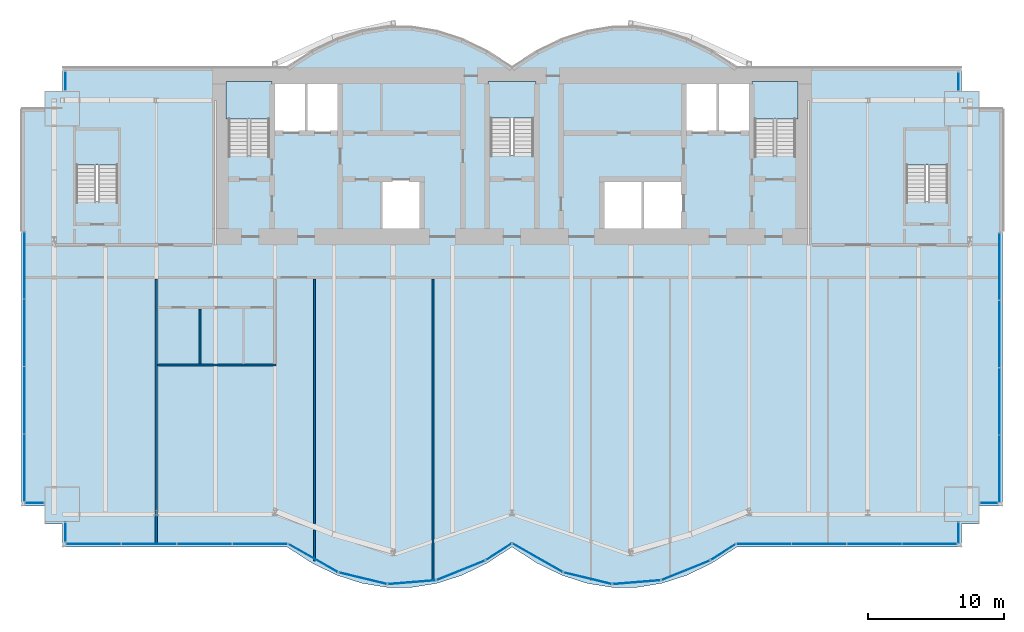
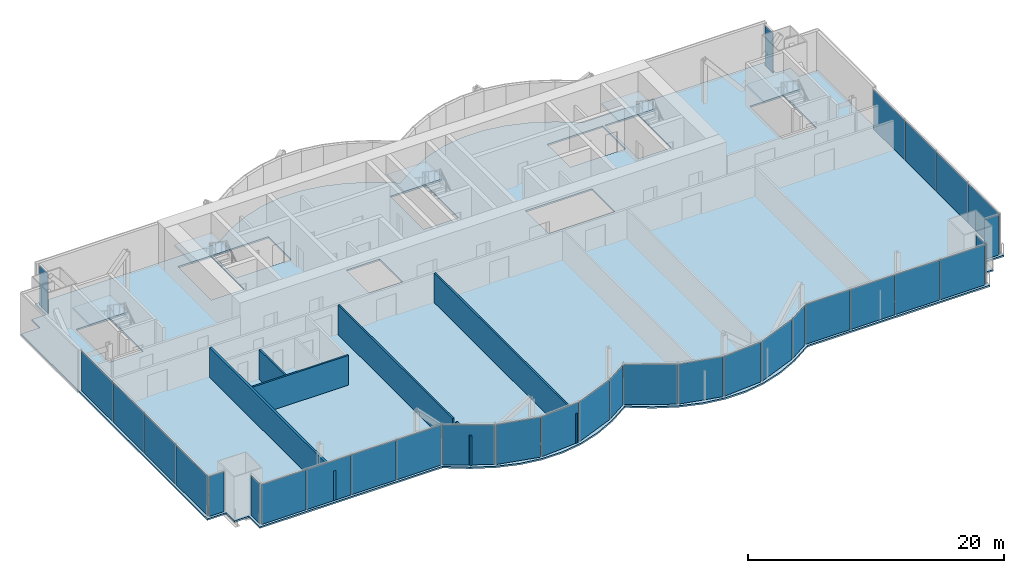
# One storey, part 14 of 21: 32 plates, 6 slabs, 6 walls, 17 elements without a shape of their own.
"""IFC4 building model written with IfcOpenShell, lengths in metres."""

from ifc_helpers import new_model, si_unit, direction, frame, frame_2d, origin, origin_2d, place, context, subcontext, project, spatial, polyline, rectangle, outline, extrude, material, layer, layer_set, type_object, element, aggregate, save


model = new_model("IFC4")

# Units and contexts
model_context = context("Model", 3, precision=1e-05, world=origin(), true_north=direction((0.0, 1.0)))
body_context = subcontext(model_context, "Body", "Model", "MODEL_VIEW")
ifc_project = project(units=[si_unit("LENGTHUNIT", "METRE"), si_unit("AREAUNIT", "SQUARE_METRE"), si_unit("VOLUMEUNIT", "CUBIC_METRE"), si_unit("PLANEANGLEUNIT", "RADIAN"), si_unit("MASSUNIT", "GRAM", prefix="KILO")], contexts=[model_context])

# Site, building, storey
site_placement = place(None, origin())
site = spatial("IfcSite", under=ifc_project, at=site_placement, CompositionType="ELEMENT")
building_placement = place(site_placement, origin())
building = spatial("IfcBuilding", under=site, at=building_placement, Name="Bicima Exchange Tower", CompositionType="ELEMENT")
storey_placement = place(building_placement, frame((0.0, 0.0, 156.800048828125)))
storey = spatial("IfcBuildingStorey", under=building, at=storey_placement, Name="L34", CompositionType="ELEMENT", Elevation=156.800048828125)

# Slab
ifc_material_1 = material(Name="Concrete C40/50", Category="concrete")
ifc_layer_1 = layer(ifc_material_1, 0.14990234375)
ifc_layer_set_1 = layer_set([ifc_layer_1], Name="Concrete C40/50")
slab_type_1 = type_object("IfcSlabType", Name="Composite floor slab 150", PredefinedType="FLOOR", material=ifc_layer_set_1)
slab_1_placement = place(storey_placement, frame((0.0, 0.0, -0.150146484375)))
element("IfcSlab", 1, at=slab_1_placement, inside=storey, type_object=slab_type_1, Name="Floor slab", PredefinedType="FLOOR", context=body_context, shape_type="SweptSolid", body=[
    extrude(outline(polyline([(-36.0, -32.16796875), (-36.0, -3.0), (-34.300048828125, -3.0), (-34.300048828125, -1.699951171875), (-33.0, -1.699951171875), (-33.0, 0.0), (-16.5, 0.0), (-14.666748046875, 1.185302734375), (-12.833251953125, 2.07421875), (-11.0, 2.666748046875), (-9.166748046875, 2.962890625), (-7.333251953125, 2.962890625), (-5.5, 2.666748046875), (-3.666748046875, 2.07421875), (-1.833251953125, 1.185302734375), (0.0, 0.0), (1.833251953125, 1.185302734375), (3.666748046875, 2.07421875), (5.5, 2.666748046875), (7.333251953125, 2.962890625), (9.166748046875, 2.962890625), (11.0, 2.666748046875), (12.833251953125, 2.07421875), (14.666748046875, 1.185302734375), (16.5, 0.0), (33.0, 0.0), (33.0, -1.699951171875), (34.300048828125, -1.699951171875), (34.300048828125, -3.0), (36.0, -3.0), (36.0, -32.16796875), (34.300048828125, -32.16796875), (34.300048828125, -33.468017578125), (33.0, -33.468017578125), (33.0, -35.16796875), (16.5, -35.16796875), (14.666748046875, -36.353271484375), (12.833251953125, -37.2421875), (11.0, -37.834716796875), (9.166748046875, -38.131103515625), (7.333251953125, -38.131103515625), (5.5, -37.834716796875), (3.666748046875, -37.2421875), (1.833251953125, -36.353271484375), (0.0, -35.16796875), (-1.833251953125, -36.353271484375), (-3.666748046875, -37.2421875), (-5.5, -37.834716796875), (-7.333251953125, -38.131103515625), (-9.166748046875, -38.131103515625), (-11.0, -37.834716796875), (-12.833251953125, -37.2421875), (-14.666748046875, -36.353271484375), (-16.5, -35.16796875), (-33.0, -35.16796875), (-33.0, -33.468017578125), (-34.300048828125, -33.468017578125), (-34.300048828125, -32.16796875), (-36.0, -32.16796875)]), holes=[polyline([(-6.60009765625, -11.800048828125), (-6.60009765625, -8.199951171875), (-9.60009765625, -8.199951171875), (-9.60009765625, -11.800048828125), (-6.60009765625, -11.800048828125)]), polyline([(-31.97509765625, -9.824951171875), (-28.925048828125, -9.824951171875), (-28.925048828125, -4.625), (-31.97509765625, -4.625), (-31.97509765625, -9.824951171875)]), polyline([(-20.800048828125, -6.449951171875), (-17.800048828125, -6.449951171875), (-17.800048828125, -1.199951171875), (-20.800048828125, -1.199951171875), (-20.800048828125, -6.449951171875)]), polyline([(1.574951171875, -6.39990234375), (1.574951171875, -1.199951171875), (-1.574951171875, -1.199951171875), (-1.574951171875, -6.39990234375), (1.574951171875, -6.39990234375)]), polyline([(-12.60009765625, -4.800048828125), (-12.60009765625, -1.199951171875), (-15.10009765625, -1.199951171875), (-17.60009765625, -1.199951171875), (-17.60009765625, -4.800048828125), (-15.10009765625, -4.800048828125), (-12.60009765625, -4.800048828125)]), polyline([(12.60009765625, -8.199951171875), (9.60009765625, -8.199951171875), (6.60009765625, -8.199951171875), (6.60009765625, -11.800048828125), (9.60009765625, -11.800048828125), (12.60009765625, -11.800048828125), (12.60009765625, -8.199951171875)]), polyline([(28.925048828125, -9.824951171875), (31.97509765625, -9.824951171875), (31.97509765625, -4.625), (28.925048828125, -4.625), (28.925048828125, -9.824951171875)]), polyline([(20.800048828125, -6.449951171875), (20.800048828125, -1.199951171875), (17.800048828125, -1.199951171875), (17.800048828125, -6.449951171875), (20.800048828125, -6.449951171875)]), polyline([(17.60009765625, -4.800048828125), (17.60009765625, -1.199951171875), (15.10009765625, -1.199951171875), (12.60009765625, -1.199951171875), (12.60009765625, -4.800048828125), (15.10009765625, -4.800048828125), (17.60009765625, -4.800048828125)])]), origin(), (0.0, 0.0, 1.0), 0.150146484375),
])

# Curtain wall, plate
ifc_material_2 = material(Name="Anodised bronze aluminium", Category="aluminium")
curtain_wall_type_1 = type_object("IfcCurtainWallType", Name="End face glass wall", PredefinedType="NOTDEFINED", material=ifc_material_2)
curtain_wall_1_placement = place(storey_placement, origin())
curtain_wall_1 = element("IfcCurtainWall", 2, at=curtain_wall_1_placement, inside=storey, type_object=curtain_wall_type_1, Name="End face glass wall L34 run 2", PredefinedType="NOTDEFINED")
ifc_material_3 = material(Name="Bronze tinted glass", Category="glass")
ifc_layer_2 = layer(ifc_material_3, 0.031982421875)
ifc_layer_set_2 = layer_set([ifc_layer_2], Name="Bronze tinted glass")
plate_type_1 = type_object("IfcPlateType", Name="End face glass wall glass panel 32", PredefinedType="CURTAIN_PANEL", material=ifc_layer_set_2)
plate_1_placement = place(storey_placement, frame((-35.77001953125, -29.353271484375, 0.0), z_axis=(0.0, 0.0, 1.0), x_axis=(0.0, -1.0, 0.0)))
plate_1 = element("IfcPlate", 3, at=plate_1_placement, type_object=plate_type_1, Name="End face glass wall panel 4.1", PredefinedType="CURTAIN_PANEL", context=body_context, shape_type="SweptSolid", body=[
    extrude(rectangle(XDim=4.889404296875, YDim=0.031982421875, at=origin_2d()), origin(), (0.0, 0.0, 1.0), 3.81005859375),
])

curtain_wall_2_placement = place(storey_placement, origin())
curtain_wall_2 = element("IfcCurtainWall", 4, at=curtain_wall_2_placement, inside=storey, type_object=curtain_wall_type_1, Name="End face glass wall L34 run 19", PredefinedType="NOTDEFINED")
plate_2_placement = place(storey_placement, frame((35.77001953125, -29.433349609375, 0.0), z_axis=(0.0, 0.0, 1.0), x_axis=(0.0, 1.0, 0.0)))
plate_2 = element("IfcPlate", 5, at=plate_2_placement, type_object=plate_type_1, Name="End face glass wall panel 1.1", PredefinedType="CURTAIN_PANEL", context=body_context, shape_type="SweptSolid", body=[
    extrude(rectangle(XDim=4.889404296875, YDim=0.031982421875, at=origin_2d()), origin(), (0.0, 0.0, 1.0), 3.81005859375),
])

# Plate
ifc_material_4 = material(Name="Bronze anodised aluminium", Category="aluminium")
ifc_layer_3 = layer(ifc_material_4, 0.031982421875)
ifc_layer_set_3 = layer_set([ifc_layer_3], Name="Bronze anodised aluminium")
plate_type_2 = type_object("IfcPlateType", Name="End face glass wall spandrel panel 32", PredefinedType="CURTAIN_PANEL", material=ifc_layer_set_3)
plate_3_placement = place(storey_placement, frame((-35.77001953125, -14.504638671875, 0.0), z_axis=(0.0, 0.0, 1.0), x_axis=(0.0, -1.0, 0.0)))
plate_3 = element("IfcPlate", 6, at=plate_3_placement, type_object=plate_type_2, Name="End face spandrel wall panel 1.1", PredefinedType="CURTAIN_PANEL", context=body_context, shape_type="SweptSolid", body=[
    extrude(rectangle(XDim=4.889404296875, YDim=0.031982421875, at=origin_2d()), origin(), (0.0, 0.0, 1.0), 3.81005859375),
])

plate_4_placement = place(storey_placement, frame((-35.77001953125, -19.454345703125, 0.0), z_axis=(0.0, 0.0, 1.0), x_axis=(0.0, -1.0, 0.0)))
plate_4 = element("IfcPlate", 7, at=plate_4_placement, type_object=plate_type_2, Name="End face spandrel wall panel 2.1", PredefinedType="CURTAIN_PANEL", context=body_context, shape_type="SweptSolid", body=[
    extrude(rectangle(XDim=4.889404296875, YDim=0.031982421875, at=origin_2d()), origin(), (0.0, 0.0, 1.0), 3.81005859375),
])

plate_5_placement = place(storey_placement, frame((-35.77001953125, -24.40380859375, 0.0), z_axis=(0.0, 0.0, 1.0), x_axis=(0.0, -1.0, 0.0)))
plate_5 = element("IfcPlate", 8, at=plate_5_placement, type_object=plate_type_2, Name="End face spandrel wall panel 3.1", PredefinedType="CURTAIN_PANEL", context=body_context, shape_type="SweptSolid", body=[
    extrude(rectangle(XDim=4.889404296875, YDim=0.031982421875, at=origin_2d()), origin(), (0.0, 0.0, 1.0), 3.81005859375),
])

aggregate(curtain_wall_1, [plate_3, plate_4, plate_5, plate_1])

plate_6_placement = place(storey_placement, frame((35.77001953125, -24.48388671875, 0.0), z_axis=(0.0, 0.0, 1.0), x_axis=(0.0, 1.0, 0.0)))
plate_6 = element("IfcPlate", 9, at=plate_6_placement, type_object=plate_type_2, Name="End face spandrel wall panel 2.1", PredefinedType="CURTAIN_PANEL", context=body_context, shape_type="SweptSolid", body=[
    extrude(rectangle(XDim=4.889404296875, YDim=0.031982421875, at=origin_2d()), origin(), (0.0, 0.0, 1.0), 3.81005859375),
])

plate_7_placement = place(storey_placement, frame((35.77001953125, -19.5341796875, 0.0), z_axis=(0.0, 0.0, 1.0), x_axis=(0.0, 1.0, 0.0)))
plate_7 = element("IfcPlate", 10, at=plate_7_placement, type_object=plate_type_2, Name="End face spandrel wall panel 3.1", PredefinedType="CURTAIN_PANEL", context=body_context, shape_type="SweptSolid", body=[
    extrude(rectangle(XDim=4.889404296875, YDim=0.031982421875, at=origin_2d()), origin(), (0.0, 0.0, 1.0), 3.81005859375),
])

plate_8_placement = place(storey_placement, frame((35.77001953125, -14.584716796875, 0.0), z_axis=(0.0, 0.0, 1.0), x_axis=(0.0, 1.0, 0.0)))
plate_8 = element("IfcPlate", 11, at=plate_8_placement, type_object=plate_type_2, Name="End face spandrel wall panel 4.1", PredefinedType="CURTAIN_PANEL", context=body_context, shape_type="SweptSolid", body=[
    extrude(rectangle(XDim=4.889404296875, YDim=0.031982421875, at=origin_2d()), origin(), (0.0, 0.0, 1.0), 3.81005859375),
])

aggregate(curtain_wall_2, [plate_2, plate_6, plate_7, plate_8])

# Curtain wall, plate
curtain_wall_type_2 = type_object("IfcCurtainWallType", Name="Front glass wall", PredefinedType="NOTDEFINED", material=ifc_material_2)
curtain_wall_3_placement = place(storey_placement, origin())
curtain_wall_3 = element("IfcCurtainWall", 12, at=curtain_wall_3_placement, inside=storey, type_object=curtain_wall_type_2, Name="Front glass wall L34 run 1", PredefinedType="NOTDEFINED")
ifc_layer_4 = layer(ifc_material_3, 0.031982421875)
ifc_layer_set_4 = layer_set([ifc_layer_4], Name="Bronze tinted glass")
plate_type_3 = type_object("IfcPlateType", Name="Front glass wall glass panel 32", PredefinedType="CURTAIN_PANEL", material=ifc_layer_set_4)
plate_9_placement = place(storey_placement, frame((-32.77001953125, -0.965087890625, 0.0), z_axis=(0.0, 0.0, 1.0), x_axis=(0.0, -1.0, 0.0)))
plate_9 = element("IfcPlate", 13, at=plate_9_placement, type_object=plate_type_3, Name="Front glass wall panel 1.1", PredefinedType="CURTAIN_PANEL", context=body_context, shape_type="SweptSolid", body=[
    extrude(rectangle(XDim=1.35009765625, YDim=0.031982421875, at=origin_2d()), origin(), (0.0, 0.0, 1.0), 3.81005859375),
])
aggregate(curtain_wall_3, [plate_9])

curtain_wall_4_placement = place(storey_placement, origin())
curtain_wall_4 = element("IfcCurtainWall", 14, at=curtain_wall_4_placement, inside=storey, type_object=curtain_wall_type_2, Name="Front glass wall L34 run 3", PredefinedType="NOTDEFINED")
plate_10_placement = place(storey_placement, frame((-35.034912109375, -31.93798828125, 0.0), z_axis=(0.0, 0.0, 1.0), x_axis=(1.0, 0.0, 0.0)))
plate_10 = element("IfcPlate", 15, at=plate_10_placement, type_object=plate_type_3, Name="Front glass wall panel 1.1", PredefinedType="CURTAIN_PANEL", context=body_context, shape_type="SweptSolid", body=[
    extrude(rectangle(XDim=1.35009765625, YDim=0.031982421875, at=origin_2d()), origin(), (0.0, 0.0, 1.0), 3.81005859375),
])
aggregate(curtain_wall_4, [plate_10])

curtain_wall_5_placement = place(storey_placement, origin())
curtain_wall_5 = element("IfcCurtainWall", 16, at=curtain_wall_5_placement, inside=storey, type_object=curtain_wall_type_2, Name="Front glass wall L34 run 4", PredefinedType="NOTDEFINED")
plate_11_placement = place(storey_placement, frame((-32.77001953125, -34.10205078125, 0.0), z_axis=(0.0, 0.0, 1.0), x_axis=(0.0, -1.0, 0.0)))
plate_11 = element("IfcPlate", 17, at=plate_11_placement, type_object=plate_type_3, Name="Front glass wall panel 1.1", PredefinedType="CURTAIN_PANEL", context=body_context, shape_type="SweptSolid", body=[
    extrude(rectangle(XDim=1.39208984375, YDim=0.031982421875, at=origin_2d()), origin(), (0.0, 0.0, 1.0), 3.81005859375),
])
aggregate(curtain_wall_5, [plate_11])

# Curtain wall, plates
curtain_wall_6_placement = place(storey_placement, origin())
curtain_wall_6 = element("IfcCurtainWall", 18, at=curtain_wall_6_placement, inside=storey, type_object=curtain_wall_type_2, Name="Front glass wall L34 run 5", PredefinedType="NOTDEFINED")
plate_12_placement = place(storey_placement, frame((-30.705322265625, -34.93798828125, 0.0), z_axis=(0.0, 0.0, 1.0), x_axis=(1.0, 0.0, 0.0)))
plate_12 = element("IfcPlate", 19, at=plate_12_placement, type_object=plate_type_3, Name="Front glass wall panel 1.1", PredefinedType="CURTAIN_PANEL", context=body_context, shape_type="SweptSolid", body=[
    extrude(rectangle(XDim=4.009521484375, YDim=0.031982421875, at=origin_2d()), origin(), (0.0, 0.0, 1.0), 3.81005859375),
])
plate_13_placement = place(storey_placement, frame((-26.6357421875, -34.93798828125, 0.0), z_axis=(0.0, 0.0, 1.0), x_axis=(1.0, 0.0, 0.0)))
plate_13 = element("IfcPlate", 20, at=plate_13_placement, type_object=plate_type_3, Name="Front glass wall panel 2.1", PredefinedType="CURTAIN_PANEL", context=body_context, shape_type="SweptSolid", body=[
    extrude(rectangle(XDim=4.009521484375, YDim=0.031982421875, at=origin_2d()), origin(), (0.0, 0.0, 1.0), 3.81005859375),
])

curtain_wall_7_placement = place(storey_placement, origin())
curtain_wall_7 = element("IfcCurtainWall", 21, at=curtain_wall_7_placement, inside=storey, type_object=curtain_wall_type_2, Name="Front glass wall L34 run 6", PredefinedType="NOTDEFINED")
plate_14_placement = place(storey_placement, frame((-7.35107421875, -37.755615234375, 0.0), z_axis=(0.0, 0.0, 1.0), x_axis=(0.99674744821, 0.080588612633, 0.0)))
plate_14 = element("IfcPlate", 22, at=plate_14_placement, type_object=plate_type_3, Name="Front glass wall panel 1.1", PredefinedType="CURTAIN_PANEL", context=body_context, shape_type="SweptSolid", body=[
    extrude(rectangle(XDim=3.486083984375, YDim=0.031982421875, at=origin_2d()), origin(), (0.0, 0.0, 1.0), 3.81005859375),
])
plate_15_placement = place(storey_placement, frame((-3.750244140625, -36.88134765625, 0.0), z_axis=(0.0, 0.0, 1.0), x_axis=(0.92714396679, 0.374705304, 0.0)))
plate_15 = element("IfcPlate", 23, at=plate_15_placement, type_object=plate_type_3, Name="Front glass wall panel 1.1", PredefinedType="CURTAIN_PANEL", context=body_context, shape_type="SweptSolid", body=[
    extrude(rectangle(XDim=3.771240234375, YDim=0.031982421875, at=origin_2d()), origin(), (0.0, 0.0, 1.0), 3.81005859375),
])
plate_16_placement = place(storey_placement, frame((-0.97314453125, -35.523193359375, 0.0), z_axis=(0.0, 0.0, 1.0), x_axis=(0.839798994301, 0.542897457326, 0.0)))
plate_16 = element("IfcPlate", 24, at=plate_16_placement, type_object=plate_type_3, Name="Front glass wall panel 1.1", PredefinedType="CURTAIN_PANEL", context=body_context, shape_type="SweptSolid", body=[
    extrude(rectangle(XDim=2.197509765625, YDim=0.031982421875, at=origin_2d()), origin(), (0.0, 0.0, 1.0), 3.81005859375),
])

curtain_wall_8_placement = place(storey_placement, origin())
curtain_wall_8 = element("IfcCurtainWall", 25, at=curtain_wall_8_placement, inside=storey, type_object=curtain_wall_type_2, Name="Front glass wall L34 run 11", PredefinedType="NOTDEFINED")
plate_17_placement = place(storey_placement, frame((1.876220703125, -35.961181640625, 0.0), z_axis=(0.0, 0.0, 1.0), x_axis=(0.869274147378, -0.494330311331, 0.0)))
plate_17 = element("IfcPlate", 26, at=plate_17_placement, type_object=plate_type_3, Name="Front glass wall panel 1.1", PredefinedType="CURTAIN_PANEL", context=body_context, shape_type="SweptSolid", body=[
    extrude(rectangle(XDim=4.197021484375, YDim=0.031982421875, at=origin_2d()), origin(), (0.0, 0.0, 1.0), 3.81005859375),
])
plate_18_placement = place(storey_placement, frame((5.55224609375, -37.464599609375, 0.0), z_axis=(0.0, 0.0, 1.0), x_axis=(0.971830343553, -0.235681529503, 0.0)))
plate_18 = element("IfcPlate", 27, at=plate_18_placement, type_object=plate_type_3, Name="Front glass wall panel 1.1", PredefinedType="CURTAIN_PANEL", context=body_context, shape_type="SweptSolid", body=[
    extrude(rectangle(XDim=3.583251953125, YDim=0.031982421875, at=origin_2d()), origin(), (0.0, 0.0, 1.0), 3.81005859375),
])
plate_19_placement = place(storey_placement, frame((9.14892578125, -37.755615234375, 0.0), z_axis=(0.0, 0.0, 1.0), x_axis=(0.99674744821, 0.080588612633, 0.0)))
plate_19 = element("IfcPlate", 28, at=plate_19_placement, type_object=plate_type_3, Name="Front glass wall panel 1.1", PredefinedType="CURTAIN_PANEL", context=body_context, shape_type="SweptSolid", body=[
    extrude(rectangle(XDim=3.486083984375, YDim=0.031982421875, at=origin_2d()), origin(), (0.0, 0.0, 1.0), 3.81005859375),
])
plate_20_placement = place(storey_placement, frame((15.492919921875, -35.545166015625, 0.0), z_axis=(0.0, 0.0, 1.0), x_axis=(0.839791413941, 0.542909183079, 0.0)))
plate_20 = element("IfcPlate", 29, at=plate_20_placement, type_object=plate_type_3, Name="Front glass wall panel 1.1", PredefinedType="CURTAIN_PANEL", context=body_context, shape_type="SweptSolid", body=[
    extrude(rectangle(XDim=2.11669921875, YDim=0.031982421875, at=origin_2d()), origin(), (0.0, 0.0, 1.0), 3.81005859375),
])

curtain_wall_9_placement = place(storey_placement, origin())
curtain_wall_9 = element("IfcCurtainWall", 30, at=curtain_wall_9_placement, inside=storey, type_object=curtain_wall_type_2, Name="Front glass wall L34 run 16", PredefinedType="NOTDEFINED")
plate_21_placement = place(storey_placement, frame((26.585693359375, -34.93798828125, 0.0), z_axis=(0.0, 0.0, 1.0), x_axis=(1.0, 0.0, 0.0)))
plate_21 = element("IfcPlate", 31, at=plate_21_placement, type_object=plate_type_3, Name="Front glass wall panel 3.1", PredefinedType="CURTAIN_PANEL", context=body_context, shape_type="SweptSolid", body=[
    extrude(rectangle(XDim=3.989501953125, YDim=0.031982421875, at=origin_2d()), origin(), (0.0, 0.0, 1.0), 3.81005859375),
])
plate_22_placement = place(storey_placement, frame((30.63525390625, -34.93798828125, 0.0), z_axis=(0.0, 0.0, 1.0), x_axis=(1.0, 0.0, 0.0)))
plate_22 = element("IfcPlate", 32, at=plate_22_placement, type_object=plate_type_3, Name="Front glass wall panel 4.1", PredefinedType="CURTAIN_PANEL", context=body_context, shape_type="SweptSolid", body=[
    extrude(rectangle(XDim=3.989501953125, YDim=0.031982421875, at=origin_2d()), origin(), (0.0, 0.0, 1.0), 3.81005859375),
])

# Curtain wall, plate
curtain_wall_10_placement = place(storey_placement, origin())
curtain_wall_10 = element("IfcCurtainWall", 33, at=curtain_wall_10_placement, inside=storey, type_object=curtain_wall_type_2, Name="Front glass wall L34 run 17", PredefinedType="NOTDEFINED")
plate_23_placement = place(storey_placement, frame((32.77001953125, -34.14208984375, 0.0), z_axis=(0.0, 0.0, 1.0), x_axis=(0.0, 1.0, 0.0)))
plate_23 = element("IfcPlate", 34, at=plate_23_placement, type_object=plate_type_3, Name="Front glass wall panel 1.1", PredefinedType="CURTAIN_PANEL", context=body_context, shape_type="SweptSolid", body=[
    extrude(rectangle(XDim=1.471923828125, YDim=0.031982421875, at=origin_2d()), origin(), (0.0, 0.0, 1.0), 3.81005859375),
])
aggregate(curtain_wall_10, [plate_23])

curtain_wall_11_placement = place(storey_placement, origin())
curtain_wall_11 = element("IfcCurtainWall", 35, at=curtain_wall_11_placement, inside=storey, type_object=curtain_wall_type_2, Name="Front glass wall L34 run 18", PredefinedType="NOTDEFINED")
plate_24_placement = place(storey_placement, frame((34.9951171875, -31.93798828125, 0.0), z_axis=(0.0, 0.0, 1.0), x_axis=(1.0, 0.0, 0.0)))
plate_24 = element("IfcPlate", 36, at=plate_24_placement, type_object=plate_type_3, Name="Front glass wall panel 1.1", PredefinedType="CURTAIN_PANEL", context=body_context, shape_type="SweptSolid", body=[
    extrude(rectangle(XDim=1.27001953125, YDim=0.031982421875, at=origin_2d()), origin(), (0.0, 0.0, 1.0), 3.81005859375),
])
aggregate(curtain_wall_11, [plate_24])

curtain_wall_12_placement = place(storey_placement, origin())
curtain_wall_12 = element("IfcCurtainWall", 37, at=curtain_wall_12_placement, inside=storey, type_object=curtain_wall_type_2, Name="Front glass wall L34 run 20", PredefinedType="NOTDEFINED")
plate_25_placement = place(storey_placement, frame((32.77001953125, -1.0048828125, 0.0), z_axis=(0.0, 0.0, 1.0), x_axis=(0.0, 1.0, 0.0)))
plate_25 = element("IfcPlate", 38, at=plate_25_placement, type_object=plate_type_3, Name="Front glass wall panel 1.1", PredefinedType="CURTAIN_PANEL", context=body_context, shape_type="SweptSolid", body=[
    extrude(rectangle(XDim=1.27001953125, YDim=0.031982421875, at=origin_2d()), origin(), (0.0, 0.0, 1.0), 3.81005859375),
])
aggregate(curtain_wall_12, [plate_25])

# Plate
ifc_layer_5 = layer(ifc_material_4, 0.031982421875)
ifc_layer_set_5 = layer_set([ifc_layer_5], Name="Bronze anodised aluminium")
plate_type_4 = type_object("IfcPlateType", Name="Front glass wall spandrel panel 32", PredefinedType="CURTAIN_PANEL", material=ifc_layer_set_5)
plate_26_placement = place(storey_placement, frame((-22.56640625, -34.93798828125, 0.0), z_axis=(0.0, 0.0, 1.0), x_axis=(1.0, 0.0, 0.0)))
plate_26 = element("IfcPlate", 39, at=plate_26_placement, type_object=plate_type_4, Name="Front spandrel wall panel 3.1", PredefinedType="CURTAIN_PANEL", context=body_context, shape_type="SweptSolid", body=[
    extrude(rectangle(XDim=4.009521484375, YDim=0.031982421875, at=origin_2d()), origin(), (0.0, 0.0, 1.0), 3.81005859375),
])

plate_27_placement = place(storey_placement, frame((-18.496826171875, -34.93798828125, 0.0), z_axis=(0.0, 0.0, 1.0), x_axis=(1.0, 0.0, 0.0)))
plate_27 = element("IfcPlate", 40, at=plate_27_placement, type_object=plate_type_4, Name="Front spandrel wall panel 4.1", PredefinedType="CURTAIN_PANEL", context=body_context, shape_type="SweptSolid", body=[
    extrude(rectangle(XDim=4.009521484375, YDim=0.031982421875, at=origin_2d()), origin(), (0.0, 0.0, 1.0), 3.81005859375),
])

aggregate(curtain_wall_6, [plate_12, plate_13, plate_26, plate_27])

plate_28_placement = place(storey_placement, frame((-14.589599609375, -35.983154296875, 0.0), z_axis=(0.0, 0.0, 1.0), x_axis=(0.869805110681, -0.493395449343, 0.0)))
plate_28 = element("IfcPlate", 41, at=plate_28_placement, type_object=plate_type_4, Name="Front spandrel wall panel 1.1", PredefinedType="CURTAIN_PANEL", context=body_context, shape_type="SweptSolid", body=[
    extrude(rectangle(XDim=4.1162109375, YDim=0.031982421875, at=origin_2d()), origin(), (0.0, 0.0, 1.0), 3.81005859375),
])

plate_29_placement = place(storey_placement, frame((-10.94775390625, -37.464599609375, 0.0), z_axis=(0.0, 0.0, 1.0), x_axis=(0.971830343553, -0.235681529503, 0.0)))
plate_29 = element("IfcPlate", 42, at=plate_29_placement, type_object=plate_type_4, Name="Front spandrel wall panel 1.1", PredefinedType="CURTAIN_PANEL", context=body_context, shape_type="SweptSolid", body=[
    extrude(rectangle(XDim=3.583251953125, YDim=0.031982421875, at=origin_2d()), origin(), (0.0, 0.0, 1.0), 3.81005859375),
])

aggregate(curtain_wall_7, [plate_28, plate_29, plate_14, plate_15, plate_16])

plate_30_placement = place(storey_placement, frame((12.749755859375, -36.88134765625, 0.0), z_axis=(0.0, 0.0, 1.0), x_axis=(0.92714396679, 0.374705304, 0.0)))
plate_30 = element("IfcPlate", 43, at=plate_30_placement, type_object=plate_type_4, Name="Front spandrel wall panel 1.1", PredefinedType="CURTAIN_PANEL", context=body_context, shape_type="SweptSolid", body=[
    extrude(rectangle(XDim=3.771240234375, YDim=0.031982421875, at=origin_2d()), origin(), (0.0, 0.0, 1.0), 3.81005859375),
])

aggregate(curtain_wall_8, [plate_17, plate_18, plate_19, plate_30, plate_20])

plate_31_placement = place(storey_placement, frame((18.48681640625, -34.93798828125, 0.0), z_axis=(0.0, 0.0, 1.0), x_axis=(1.0, 0.0, 0.0)))
plate_31 = element("IfcPlate", 44, at=plate_31_placement, type_object=plate_type_4, Name="Front spandrel wall panel 1.1", PredefinedType="CURTAIN_PANEL", context=body_context, shape_type="SweptSolid", body=[
    extrude(rectangle(XDim=3.989501953125, YDim=0.031982421875, at=origin_2d()), origin(), (0.0, 0.0, 1.0), 3.81005859375),
])

plate_32_placement = place(storey_placement, frame((22.536376953125, -34.93798828125, 0.0), z_axis=(0.0, 0.0, 1.0), x_axis=(1.0, 0.0, 0.0)))
plate_32 = element("IfcPlate", 45, at=plate_32_placement, type_object=plate_type_4, Name="Front spandrel wall panel 2.1", PredefinedType="CURTAIN_PANEL", context=body_context, shape_type="SweptSolid", body=[
    extrude(rectangle(XDim=3.989501953125, YDim=0.031982421875, at=origin_2d()), origin(), (0.0, 0.0, 1.0), 3.81005859375),
])

aggregate(curtain_wall_9, [plate_31, plate_32, plate_21, plate_22])

# Stair, slab
ifc_material_5 = material(Name="Concrete C50/60", Category="concrete")
stair_type_1 = type_object("IfcStairType", Name="Exit stair", PredefinedType="HALF_TURN_STAIR", material=ifc_material_5)
stair_1_placement = place(storey_placement, origin())
stair_1 = element("IfcStair", 46, at=stair_1_placement, inside=storey, type_object=stair_type_1, Name="L34 West exit stair", PredefinedType="HALF_TURN_STAIR")
ifc_layer_6 = layer(ifc_material_5, 0.199951171875)
ifc_layer_set_6 = layer_set([ifc_layer_6], Name="Concrete C50/60")
slab_type_2 = type_object("IfcSlabType", Name="Stair landing slab", PredefinedType="LANDING", material=ifc_layer_set_6)
slab_2_placement = place(storey_placement, frame((0.0, 0.0, 1.849853515625)))
slab_2 = element("IfcSlab", 47, at=slab_2_placement, type_object=slab_type_2, Name="ST-W landing 1", PredefinedType="LANDING", context=body_context, shape_type="SweptSolid", body=[
    extrude(outline(polyline([(-17.60009765625, -3.75), (-17.60009765625, -1.0), (-21.0, -1.0), (-21.0, -3.75), (-17.60009765625, -3.75)])), origin(), (0.0, 0.0, 1.0), 0.2001953125),
])
aggregate(stair_1, [slab_2])

stair_type_2 = type_object("IfcStairType", Name="Exit stair 1500", PredefinedType="HALF_TURN_STAIR", material=ifc_material_5)
stair_2_placement = place(storey_placement, origin())
stair_2 = element("IfcStair", 48, at=stair_2_placement, inside=storey, type_object=stair_type_2, Name="L34 Central exit stair", PredefinedType="HALF_TURN_STAIR")
slab_3_placement = place(storey_placement, frame((0.0, 0.0, 1.849853515625)))
slab_3 = element("IfcSlab", 49, at=slab_3_placement, type_object=slab_type_2, Name="ST-C landing 1", PredefinedType="LANDING", context=body_context, shape_type="SweptSolid", body=[
    extrude(outline(polyline([(1.77490234375, -3.699951171875), (1.77490234375, -1.0), (-1.77490234375, -1.0), (-1.77490234375, -3.699951171875), (1.77490234375, -3.699951171875)])), origin(), (0.0, 0.0, 1.0), 0.2001953125),
])
aggregate(stair_2, [slab_3])

stair_3_placement = place(storey_placement, origin())
stair_3 = element("IfcStair", 50, at=stair_3_placement, inside=storey, type_object=stair_type_1, Name="L34 East exit stair", PredefinedType="HALF_TURN_STAIR")
slab_4_placement = place(storey_placement, frame((0.0, 0.0, 1.849853515625)))
slab_4 = element("IfcSlab", 51, at=slab_4_placement, type_object=slab_type_2, Name="ST-E landing 1", PredefinedType="LANDING", context=body_context, shape_type="SweptSolid", body=[
    extrude(outline(polyline([(21.0, -3.75), (21.0, -1.0), (17.60009765625, -1.0), (17.60009765625, -3.75), (21.0, -3.75)])), origin(), (0.0, 0.0, 1.0), 0.2001953125),
])
aggregate(stair_3, [slab_4])

stair_4_placement = place(storey_placement, origin())
stair_4 = element("IfcStair", 52, at=stair_4_placement, inside=storey, type_object=stair_type_1, Name="L34 West end exit stair", PredefinedType="HALF_TURN_STAIR")
slab_5_placement = place(storey_placement, frame((0.0, 0.0, 1.849853515625)))
slab_5 = element("IfcSlab", 53, at=slab_5_placement, type_object=slab_type_2, Name="ST-WW landing 1", PredefinedType="LANDING", context=body_context, shape_type="SweptSolid", body=[
    extrude(outline(polyline([(-28.72509765625, -7.125), (-28.72509765625, -4.425048828125), (-32.175048828125, -4.425048828125), (-32.175048828125, -7.125), (-28.72509765625, -7.125)])), origin(), (0.0, 0.0, 1.0), 0.2001953125),
])
aggregate(stair_4, [slab_5])

stair_5_placement = place(storey_placement, origin())
stair_5 = element("IfcStair", 54, at=stair_5_placement, inside=storey, type_object=stair_type_1, Name="L34 East end exit stair", PredefinedType="HALF_TURN_STAIR")
slab_6_placement = place(storey_placement, frame((0.0, 0.0, 1.849853515625)))
slab_6 = element("IfcSlab", 55, at=slab_6_placement, type_object=slab_type_2, Name="ST-EE landing 1", PredefinedType="LANDING", context=body_context, shape_type="SweptSolid", body=[
    extrude(outline(polyline([(32.175048828125, -7.125), (32.175048828125, -4.425048828125), (28.72509765625, -4.425048828125), (28.72509765625, -7.125), (32.175048828125, -7.125)])), origin(), (0.0, 0.0, 1.0), 0.2001953125),
])
aggregate(stair_5, [slab_6])

# Walls
ifc_material_6 = material(Name="Gypsum board partition")
ifc_layer_7 = layer(ifc_material_6, 0.199951171875)
ifc_layer_set_7 = layer_set([ifc_layer_7], Name="Gypsum board partition")
wall_type_1 = type_object("IfcWallType", Name="Fire-rated gypsum partition 200 EI60", PredefinedType="PARTITIONING", material=ifc_layer_set_7)
wall_1_placement = place(storey_placement, frame((-26.10009765625, -34.9599609375, 0.0), z_axis=(0.0, 0.0, 1.0), x_axis=(0.0, 1.0, 0.0)))
element("IfcWall", 56, at=wall_1_placement, inside=storey, type_object=wall_type_1, Name="partition wall 14", PredefinedType="PARTITIONING", context=body_context, shape_type="SweptSolid", body=[
    extrude(rectangle(XDim=19.4599609375, YDim=0.199951171875, at=frame_2d((9.72998046875, 0.0))), origin(), (0.0, 0.0, 1.0), 2.84033203125),
])
ifc_layer_8 = layer(ifc_material_6, 0.14990234375)
ifc_layer_set_8 = layer_set([ifc_layer_8], Name="Gypsum board partition")
wall_type_2 = type_object("IfcWallType", Name="Gypsum partition 150", PredefinedType="PARTITIONING", material=ifc_layer_set_8)
wall_2_placement = place(storey_placement, frame((-26.0, -21.800048828125, 0.0), z_axis=(0.0, 0.0, 1.0), x_axis=(1.0, 0.0, 0.0)))
element("IfcWall", 57, at=wall_2_placement, inside=storey, type_object=wall_type_2, Name="partition wall 1", PredefinedType="PARTITIONING", context=body_context, shape_type="SweptSolid", body=[
    extrude(rectangle(XDim=8.699951171875, YDim=0.14990234375, at=frame_2d((4.35009765625, 0.0))), origin(), (0.0, 0.0, 1.0), 2.84033203125),
])
wall_3_placement = place(storey_placement, frame((-22.89990234375, -21.72509765625, 0.0), z_axis=(0.0, 0.0, 1.0), x_axis=(0.0, 1.0, 0.0)))
element("IfcWall", 58, at=wall_3_placement, inside=storey, type_object=wall_type_2, Name="partition wall 15", PredefinedType="PARTITIONING", context=body_context, shape_type="SweptSolid", body=[
    extrude(rectangle(XDim=4.025146484375, YDim=0.14990234375, at=frame_2d((2.0126953125, 0.0))), origin(), (0.0, 0.0, 1.0), 2.84033203125),
])
wall_4_placement = place(storey_placement, frame((-14.5, -36.199951171875, 0.0), z_axis=(0.0, 0.0, 1.0), x_axis=(0.0, 1.0, 0.0)))
element("IfcWall", 59, at=wall_4_placement, inside=storey, type_object=wall_type_2, Name="partition wall 18", PredefinedType="PARTITIONING", context=body_context, shape_type="SweptSolid", body=[
    extrude(rectangle(XDim=2.2724609375, YDim=0.14990234375, at=frame_2d((1.13623046875, 0.0))), origin(), (0.0, 0.0, 1.0), 2.84033203125),
])
wall_5_placement = place(storey_placement, frame((-14.5, -33.439697265625, 0.0), z_axis=(0.0, 0.0, 1.0), x_axis=(0.0, 1.0, 0.0)))
element("IfcWall", 60, at=wall_5_placement, inside=storey, type_object=wall_type_2, Name="partition wall 19", PredefinedType="PARTITIONING", context=body_context, shape_type="SweptSolid", body=[
    extrude(rectangle(XDim=17.939697265625, YDim=0.14990234375, at=frame_2d((8.9697265625, 0.0))), origin(), (0.0, 0.0, 1.0), 2.84033203125),
])
wall_6_placement = place(storey_placement, frame((-5.800048828125, -37.669921875, 0.0), z_axis=(0.0, 0.0, 1.0), x_axis=(0.0, 1.0, 0.0)))
element("IfcWall", 61, at=wall_6_placement, inside=storey, type_object=wall_type_2, Name="partition wall 20", PredefinedType="PARTITIONING", context=body_context, shape_type="SweptSolid", body=[
    extrude(rectangle(XDim=22.169921875, YDim=0.14990234375, at=frame_2d((11.0849609375, 0.0))), origin(), (0.0, 0.0, 1.0), 2.84033203125),
])

save(model, "model.ifc")
